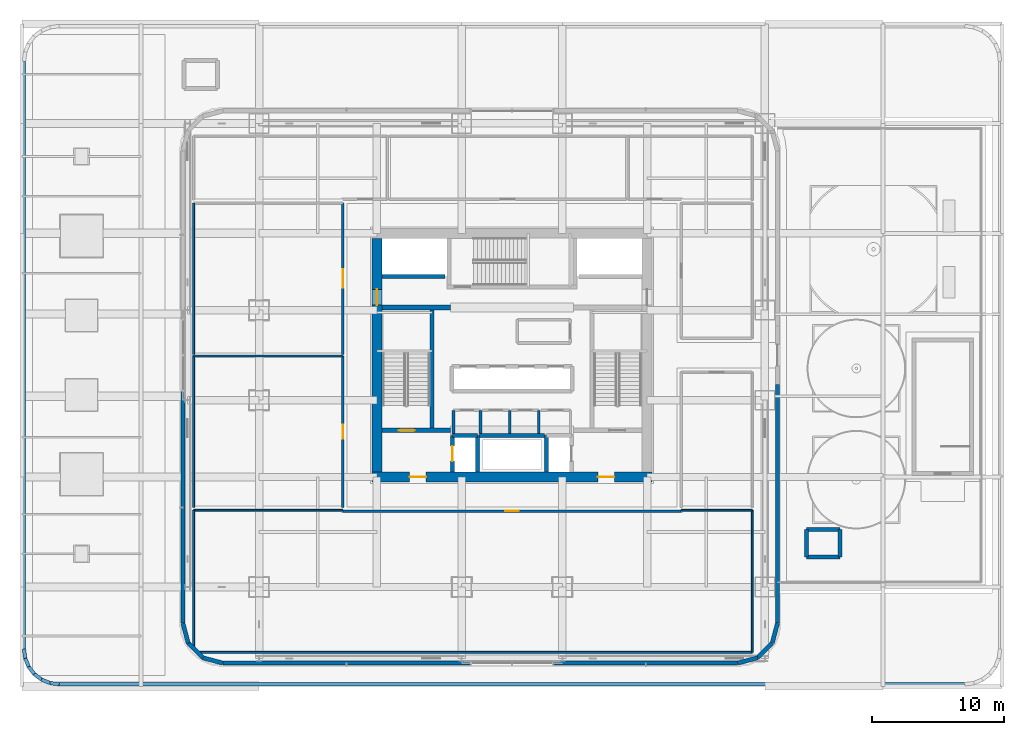
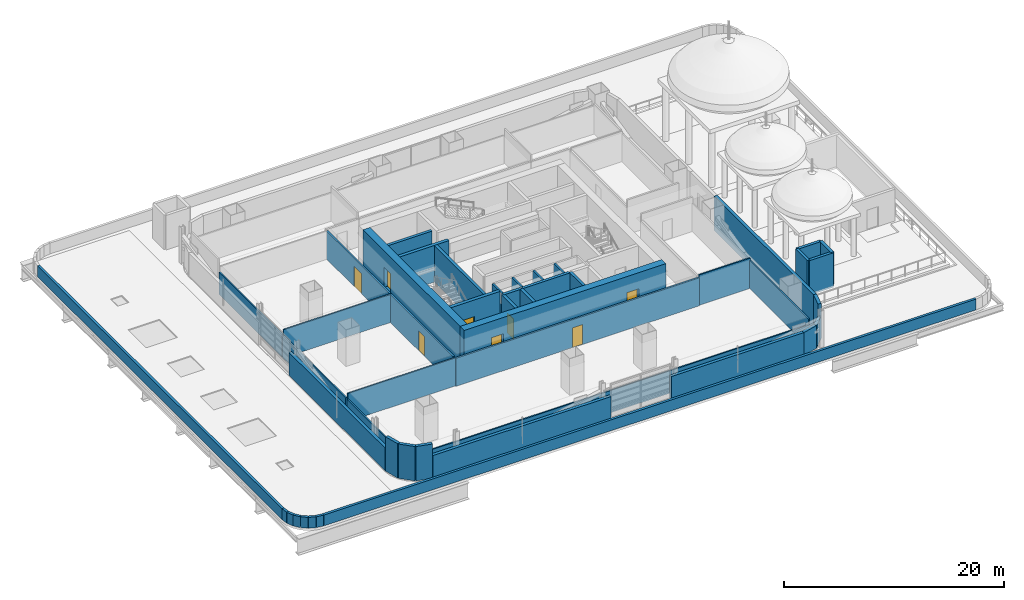
# One storey, part 14 of 30: 48 walls, 8 doors, 8 openings.
"""IFC4 building model written with IfcOpenShell, lengths in metres."""

from ifc_helpers import new_model, si_unit, direction, frame, frame_2d, origin, place, context, subcontext, project, spatial, rectangle, extrude, material, layer, layer_set, type_object, element, fill, save


model = new_model("IFC4")

# Units and contexts
model_context = context("Model", 3, precision=1e-05, world=origin(), true_north=direction((0.0, 1.0)))
body_context = subcontext(model_context, "Body", "Model", "MODEL_VIEW")
ifc_project = project(units=[si_unit("LENGTHUNIT", "METRE"), si_unit("AREAUNIT", "SQUARE_METRE"), si_unit("VOLUMEUNIT", "CUBIC_METRE"), si_unit("PLANEANGLEUNIT", "RADIAN"), si_unit("MASSUNIT", "GRAM", prefix="KILO")], contexts=[model_context])

# Site, building, storey
site_placement = place(None, origin())
site = spatial("IfcSite", under=ifc_project, at=site_placement, CompositionType="ELEMENT")
building_placement = place(site_placement, origin())
building = spatial("IfcBuilding", under=site, at=building_placement, Name="Punatoya Terracotta Tower", CompositionType="ELEMENT")
storey_placement = place(building_placement, frame((0.0, 0.0, 28.199951171875)))
storey = spatial("IfcBuildingStorey", under=building, at=storey_placement, Name="L05", CompositionType="ELEMENT", Elevation=28.199951171875)

# Wall, openings, doors
ifc_material_1 = material(Name="Concrete C60/75", Category="concrete")
ifc_layer_1 = layer(ifc_material_1, 0.75)
ifc_layer_set_1 = layer_set([ifc_layer_1], Name="Concrete C60/75")
wall_type_1 = type_object("IfcWallType", Name="WL-COR-750", PredefinedType="SHEAR", material=ifc_layer_set_1)
wall_1_placement = place(storey_placement, frame((10.574951171875, -9.199951171875, 0.0), z_axis=(0.0, 0.0, 1.0), x_axis=(-1.0, 0.0, 0.0)))
wall_1 = element("IfcWall", 1, at=wall_1_placement, inside=storey, type_object=wall_type_1, Name="L05 Core Shear Wall S", PredefinedType="SHEAR", context=body_context, shape_type="SweptSolid", body=[
    extrude(rectangle(XDim=21.14990234375, YDim=0.75, at=frame_2d((10.574951171875, 0.0))), origin(), (0.0, 0.0, 1.0), 4.050048828125),
])
opening_1_placement = place(wall_1_placement, frame((2.85009765625, 0.0, 0.0)))
opening_1 = element("IfcOpeningElement", 2, at=opening_1_placement, cuts=wall_1, Name="Opening FD-L1", PredefinedType="OPENING", context=body_context, shape_type="SweptSolid", body=[
    extrude(rectangle(XDim=1.25, YDim=2.25, at=frame_2d((0.625, 1.125))), frame((0.0, 0.385009765625, 0.0), z_axis=(0.0, -1.0, 0.0), x_axis=(1.0, 0.0, 0.0)), (0.0, 0.0, 1.0), 0.77001953125),
])
opening_2_placement = place(wall_1_placement, frame((17.050048828125, 0.0, 0.0)))
opening_2 = element("IfcOpeningElement", 3, at=opening_2_placement, cuts=wall_1, Name="Opening FD-L1", PredefinedType="OPENING", context=body_context, shape_type="SweptSolid", body=[
    extrude(rectangle(XDim=1.25, YDim=2.25, at=frame_2d((0.625, 1.125))), frame((0.0, 0.385009765625, 0.0), z_axis=(0.0, -1.0, 0.0), x_axis=(1.0, 0.0, 0.0)), (0.0, 0.0, 1.0), 0.77001953125),
])
ifc_material_2 = material(Name="Galvanised Steel Smokeproof Fire Door", Category="steel")
door_type_1 = type_object("IfcDoorType", Name="DR-FFL-1250", OperationType="NOTDEFINED", PredefinedType="DOOR", material=ifc_material_2)
door_1_placement = place(opening_1_placement, origin())
door_1 = element("IfcDoor", 4, at=door_1_placement, inside=storey, type_object=door_type_1, Name="L05 East Firefighting Lobby Corridor Fire Door", OperationType="SINGLE_SWING_LEFT", OverallHeight=2.25, OverallWidth=1.25, PredefinedType="DOOR", context=body_context, shape_type="SweptSolid", body=[
    extrude(rectangle(XDim=1.25, YDim=2.25, at=frame_2d((0.625, 1.125))), frame((0.0, 0.02490234375, 0.0), z_axis=(0.0, -1.0, 0.0), x_axis=(1.0, 0.0, 0.0)), (0.0, 0.0, 1.0), 0.050048828125),
])
fill(opening_1, door_1)
door_2_placement = place(opening_2_placement, origin())
door_2 = element("IfcDoor", 5, at=door_2_placement, inside=storey, type_object=door_type_1, Name="L05 West Firefighting Lobby Corridor Fire Door", OperationType="SINGLE_SWING_RIGHT", OverallHeight=2.25, OverallWidth=1.25, PredefinedType="DOOR", context=body_context, shape_type="SweptSolid", body=[
    extrude(rectangle(XDim=1.25, YDim=2.25, at=frame_2d((0.625, 1.125))), frame((0.0, 0.02490234375, 0.0), z_axis=(0.0, -1.0, 0.0), x_axis=(1.0, 0.0, 0.0)), (0.0, 0.0, 1.0), 0.050048828125),
])
fill(opening_2, door_2)

# Wall, opening, door
wall_2_placement = place(storey_placement, frame((-10.199951171875, -8.824951171875, 0.0), z_axis=(0.0, 0.0, 1.0), x_axis=(0.0, 1.0, 0.0)))
wall_2 = element("IfcWall", 6, at=wall_2_placement, inside=storey, type_object=wall_type_1, Name="L05 Core Shear Wall W", PredefinedType="SHEAR", context=body_context, shape_type="SweptSolid", body=[
    extrude(rectangle(XDim=17.64990234375, YDim=0.75, at=frame_2d((8.824951171875, 0.0))), origin(), (0.0, 0.0, 1.0), 4.050048828125),
])
opening_3_placement = place(wall_2_placement, frame((12.614990234375, 0.0, 0.0)))
opening_3 = element("IfcOpeningElement", 7, at=opening_3_placement, cuts=wall_2, Name="Opening SD-01", PredefinedType="OPENING", context=body_context, shape_type="SweptSolid", body=[
    extrude(rectangle(XDim=1.179931640625, YDim=2.199951171875, at=frame_2d((0.58984375, 1.10009765625))), frame((0.0, 0.385009765625, 0.0), z_axis=(0.0, -1.0, 0.0), x_axis=(1.0, 0.0, 0.0)), (0.0, 0.0, 1.0), 0.77001953125),
])
ifc_material_3 = material(Name="Galvanised Steel Pressurized Stair Fire Door", Category="steel")
door_type_2 = type_object("IfcDoorType", Name="DR-STR-1180", OperationType="NOTDEFINED", PredefinedType="DOOR", material=ifc_material_3)
door_3_placement = place(opening_3_placement, origin())
door_3 = element("IfcDoor", 8, at=door_3_placement, inside=storey, type_object=door_type_2, Name="L05 Central Lift Lobby West Fire Door", OperationType="SINGLE_SWING_LEFT", OverallHeight=2.199951171875, OverallWidth=1.179931640625, PredefinedType="DOOR", context=body_context, shape_type="SweptSolid", body=[
    extrude(rectangle(XDim=1.179931640625, YDim=2.199951171875, at=frame_2d((0.58984375, 1.10009765625))), frame((0.0, 0.02490234375, 0.0), z_axis=(0.0, -1.0, 0.0), x_axis=(1.0, 0.0, 0.0)), (0.0, 0.0, 1.0), 0.050048828125),
])
fill(opening_3, door_3)

ifc_material_4 = material(Name="Gypsum Fireboard + Steel Stud", Category="steel")
ifc_layer_2 = layer(ifc_material_4, 0.179931640625)
ifc_layer_set_2 = layer_set([ifc_layer_2], Name="Gypsum Fireboard + Steel Stud")
wall_type_2 = type_object("IfcWallType", Name="WL-CORR-180", PredefinedType="PARTITIONING", material=ifc_layer_set_2)
wall_3_placement = place(storey_placement, frame((-12.77001953125, -11.77001953125, 0.0), z_axis=(0.0, 0.0, 1.0), x_axis=(1.0, 0.0, 0.0)))
wall_3 = element("IfcWall", 9, at=wall_3_placement, inside=storey, type_object=wall_type_2, Name="L05 Open Workplace Studio Partition 14", PredefinedType="PARTITIONING", context=body_context, shape_type="SweptSolid", body=[
    extrude(rectangle(XDim=25.5400390625, YDim=0.179931640625, at=frame_2d((12.77001953125, 0.0))), origin(), (0.0, 0.0, 1.0), 3.10400390625),
])
opening_4_placement = place(wall_3_placement, frame((12.2451171875, 0.0, 0.0)))
opening_4 = element("IfcOpeningElement", 10, at=opening_4_placement, cuts=wall_3, Name="Opening OD-01", PredefinedType="OPENING", context=body_context, shape_type="SweptSolid", body=[
    extrude(rectangle(XDim=1.050048828125, YDim=2.199951171875, at=frame_2d((0.52490234375, 1.10009765625))), frame((0.0, 0.099853515625, 0.0), z_axis=(0.0, -1.0, 0.0), x_axis=(1.0, 0.0, 0.0)), (0.0, 0.0, 1.0), 0.199951171875),
])
ifc_material_5 = material(Name="Bengal Teak Solid-Core Leaf")
door_type_3 = type_object("IfcDoorType", Name="DR-OFF-1050", OperationType="NOTDEFINED", PredefinedType="DOOR", material=ifc_material_5)
door_4_placement = place(opening_4_placement, origin())
door_4 = element("IfcDoor", 11, at=door_4_placement, inside=storey, type_object=door_type_3, Name="L05 Open Workplace Studio Door", OperationType="SINGLE_SWING_RIGHT", OverallHeight=2.199951171875, OverallWidth=1.050048828125, PredefinedType="DOOR", context=body_context, shape_type="SweptSolid", body=[
    extrude(rectangle(XDim=1.050048828125, YDim=2.199951171875, at=frame_2d((0.52490234375, 1.10009765625))), frame((0.0, 0.02490234375, 0.0), z_axis=(0.0, -1.0, 0.0), x_axis=(1.0, 0.0, 0.0)), (0.0, 0.0, 1.0), 0.050048828125),
])
fill(opening_4, door_4)

wall_4_placement = place(storey_placement, frame((-12.77001953125, -0.06005859375, 0.0), z_axis=(0.0, 0.0, 1.0), x_axis=(0.0, -1.0, 0.0)))
wall_4 = element("IfcWall", 12, at=wall_4_placement, inside=storey, type_object=wall_type_2, Name="L05 Open-Plan Project Design Office Partition 24", PredefinedType="PARTITIONING", context=body_context, shape_type="SweptSolid", body=[
    extrude(rectangle(XDim=11.429931640625, YDim=0.179931640625, at=frame_2d((5.71484375, 0.0))), origin(), (0.0, 0.0, 1.0), 3.10400390625),
])
opening_5_placement = place(wall_4_placement, frame((5.18994140625, 0.0, 0.0)))
opening_5 = element("IfcOpeningElement", 13, at=opening_5_placement, cuts=wall_4, Name="Opening OD-01", PredefinedType="OPENING", context=body_context, shape_type="SweptSolid", body=[
    extrude(rectangle(XDim=1.050048828125, YDim=2.199951171875, at=frame_2d((0.52490234375, 1.10009765625))), frame((0.0, 0.099853515625, 0.0), z_axis=(0.0, -1.0, 0.0), x_axis=(1.0, 0.0, 0.0)), (0.0, 0.0, 1.0), 0.199951171875),
])
door_5_placement = place(opening_5_placement, origin())
door_5 = element("IfcDoor", 14, at=door_5_placement, inside=storey, type_object=door_type_3, Name="L05 Open-Plan Project Design Office Door", OperationType="SINGLE_SWING_RIGHT", OverallHeight=2.199951171875, OverallWidth=1.050048828125, PredefinedType="DOOR", context=body_context, shape_type="SweptSolid", body=[
    extrude(rectangle(XDim=1.050048828125, YDim=2.199951171875, at=frame_2d((0.52490234375, 1.10009765625))), frame((0.0, 0.02490234375, 0.0), z_axis=(0.0, -1.0, 0.0), x_axis=(1.0, 0.0, 0.0)), (0.0, 0.0, 1.0), 0.050048828125),
])
fill(opening_5, door_5)

wall_5_placement = place(storey_placement, frame((-12.77001953125, 11.489990234375, 0.0), z_axis=(0.0, 0.0, 1.0), x_axis=(0.0, -1.0, 0.0)))
wall_5 = element("IfcWall", 15, at=wall_5_placement, inside=storey, type_object=wall_type_2, Name="L05 Open-Plan Client Strategy Boardroom Partition 27", PredefinedType="PARTITIONING", context=body_context, shape_type="SweptSolid", body=[
    extrude(rectangle(XDim=11.429931640625, YDim=0.179931640625, at=frame_2d((5.71484375, 0.0))), origin(), (0.0, 0.0, 1.0), 3.10400390625),
])
opening_6_placement = place(wall_5_placement, frame((5.014892578125, 0.0, 0.0)))
opening_6 = element("IfcOpeningElement", 16, at=opening_6_placement, cuts=wall_5, Name="Opening BD-01", PredefinedType="OPENING", context=body_context, shape_type="SweptSolid", body=[
    extrude(rectangle(XDim=1.39990234375, YDim=2.25, at=frame_2d((0.699951171875, 1.125))), frame((0.0, 0.099853515625, 0.0), z_axis=(0.0, -1.0, 0.0), x_axis=(1.0, 0.0, 0.0)), (0.0, 0.0, 1.0), 0.199951171875),
])
ifc_material_6 = material(Name="Bengal Teak Acoustic Leaf")
door_type_4 = type_object("IfcDoorType", Name="DR-BRD-1400", OperationType="NOTDEFINED", PredefinedType="DOOR", material=ifc_material_6)
door_6_placement = place(opening_6_placement, origin())
door_6 = element("IfcDoor", 17, at=door_6_placement, inside=storey, type_object=door_type_4, Name="L05 Open-Plan Client Strategy Boardroom Door", OperationType="SINGLE_SWING_LEFT", OverallHeight=2.25, OverallWidth=1.39990234375, PredefinedType="DOOR", context=body_context, shape_type="SweptSolid", body=[
    extrude(rectangle(XDim=1.39990234375, YDim=2.25, at=frame_2d((0.699951171875, 1.125))), frame((0.0, 0.02490234375, 0.0), z_axis=(0.0, -1.0, 0.0), x_axis=(1.0, 0.0, 0.0)), (0.0, 0.0, 1.0), 0.050048828125),
])
fill(opening_6, door_6)

# Walls
ifc_material_7 = material(Name="Precast concrete C40/50", Category="concrete")
ifc_layer_3 = layer(ifc_material_7, 0.320068359375)
ifc_layer_set_3 = layer_set([ifc_layer_3], Name="Precast concrete C40/50")
wall_type_3 = type_object("IfcWallType", Name="WL-EXT-320", PredefinedType="SOLIDWALL", material=ifc_layer_set_3)
wall_6_placement = place(storey_placement, frame((-21.8369140625, -23.25, 0.0), z_axis=(0.0, 0.0, 1.0), x_axis=(1.0, 0.0, 0.0)))
element("IfcWall", 18, at=wall_6_placement, inside=storey, type_object=wall_type_3, Name="L05 Terracotta Braced Facade Wall S1", PredefinedType="SOLIDWALL", context=body_context, shape_type="SweptSolid", body=[
    extrude(rectangle(XDim=18.68701171875, YDim=0.320068359375, at=frame_2d((9.343505859375, 0.0))), origin(), (0.0, 0.0, 1.0), 2.524169921875),
])
wall_7_placement = place(storey_placement, frame((3.14990234375, -23.25, 0.0), z_axis=(0.0, 0.0, 1.0), x_axis=(1.0, 0.0, 0.0)))
element("IfcWall", 19, at=wall_7_placement, inside=storey, type_object=wall_type_3, Name="L05 Terracotta Braced Facade Wall S2", PredefinedType="SOLIDWALL", context=body_context, shape_type="SweptSolid", body=[
    extrude(rectangle(XDim=13.886962890625, YDim=0.320068359375, at=frame_2d((6.943359375, 0.0))), origin(), (0.0, 0.0, 1.0), 2.524169921875),
])
wall_8_placement = place(storey_placement, frame((17.036865234375, -23.25, 0.0), z_axis=(0.0, 0.0, 1.0), x_axis=(0.966224582397, 0.257701486942, 0.0)))
element("IfcWall", 20, at=wall_8_placement, inside=storey, type_object=wall_type_3, Name="L05 Rounded Terracotta Corner Pier 02", PredefinedType="SOLIDWALL", context=body_context, shape_type="SweptSolid", body=[
    extrude(rectangle(XDim=1.565185546875, YDim=0.320068359375, at=frame_2d((0.78271484375, 0.0))), origin(), (0.0, 0.0, 1.0), 2.524169921875),
])
wall_9_placement = place(storey_placement, frame((18.549072265625, -22.8466796875, 0.0), z_axis=(0.0, 0.0, 1.0), x_axis=(0.707028130747, 0.707185422879, 0.0)))
element("IfcWall", 21, at=wall_9_placement, inside=storey, type_object=wall_type_3, Name="L05 Rounded Terracotta Corner Pier 03", PredefinedType="SOLIDWALL", context=body_context, shape_type="SweptSolid", body=[
    extrude(rectangle(XDim=1.55224609375, YDim=0.320068359375, at=frame_2d((0.776123046875, 0.0))), origin(), (0.0, 0.0, 1.0), 2.484130859375),
])
wall_10_placement = place(storey_placement, frame((19.646484375, -21.7490234375, 0.0), z_axis=(0.0, 0.0, 1.0), x_axis=(0.257847112249, 0.966185730957, 0.0)))
element("IfcWall", 22, at=wall_10_placement, inside=storey, type_object=wall_type_3, Name="L05 Rounded Terracotta Corner Pier 04", PredefinedType="SOLIDWALL", context=body_context, shape_type="SweptSolid", body=[
    extrude(rectangle(XDim=1.565185546875, YDim=0.320068359375, at=frame_2d((0.78271484375, 0.0))), origin(), (0.0, 0.0, 1.0), 3.81005859375),
])
wall_11_placement = place(storey_placement, frame((20.050048828125, -20.23681640625, 0.0), z_axis=(0.0, 0.0, 1.0), x_axis=(0.0, 1.0, 0.0)))
element("IfcWall", 23, at=wall_11_placement, inside=storey, type_object=wall_type_3, Name="L05 Terracotta Braced Facade Wall E", PredefinedType="SOLIDWALL", context=body_context, shape_type="SweptSolid", body=[
    extrude(rectangle(XDim=18.036865234375, YDim=0.320068359375, at=frame_2d((9.0185546875, 0.0))), origin(), (0.0, 0.0, 1.0), 3.81005859375),
])
wall_12_placement = place(storey_placement, frame((-24.85009765625, -2.75, 0.0), z_axis=(0.0, 0.0, 1.0), x_axis=(0.0, -1.0, 0.0)))
element("IfcWall", 24, at=wall_12_placement, inside=storey, type_object=wall_type_3, Name="L05 Terracotta Braced Facade Wall W2", PredefinedType="SOLIDWALL", context=body_context, shape_type="SweptSolid", body=[
    extrude(rectangle(XDim=17.48681640625, YDim=0.320068359375, at=frame_2d((8.743408203125, 0.0))), origin(), (0.0, 0.0, 1.0), 2.524169921875),
])
wall_13_placement = place(storey_placement, frame((-24.85009765625, -20.23681640625, 0.0), z_axis=(0.0, 0.0, 1.0), x_axis=(0.257847112249, -0.966185730957, 0.0)))
element("IfcWall", 25, at=wall_13_placement, inside=storey, type_object=wall_type_3, Name="L05 Rounded Terracotta Corner Pier 14", PredefinedType="SOLIDWALL", context=body_context, shape_type="SweptSolid", body=[
    extrude(rectangle(XDim=1.565185546875, YDim=0.320068359375, at=frame_2d((0.78271484375, 0.0))), origin(), (0.0, 0.0, 1.0), 3.81005859375),
])
wall_14_placement = place(storey_placement, frame((-24.446533203125, -21.7490234375, 0.0), z_axis=(0.0, 0.0, 1.0), x_axis=(0.707028130747, -0.707185422879, 0.0)))
element("IfcWall", 26, at=wall_14_placement, inside=storey, type_object=wall_type_3, Name="L05 Rounded Terracotta Corner Pier 15", PredefinedType="SOLIDWALL", context=body_context, shape_type="SweptSolid", body=[
    extrude(rectangle(XDim=1.55224609375, YDim=0.320068359375, at=frame_2d((0.776123046875, 0.0))), origin(), (0.0, 0.0, 1.0), 3.81005859375),
])
wall_15_placement = place(storey_placement, frame((-23.34912109375, -22.8466796875, 0.0), z_axis=(0.0, 0.0, 1.0), x_axis=(0.966224582397, -0.257701486942, 0.0)))
element("IfcWall", 27, at=wall_15_placement, inside=storey, type_object=wall_type_3, Name="L05 Rounded Terracotta Corner Pier 16", PredefinedType="SOLIDWALL", context=body_context, shape_type="SweptSolid", body=[
    extrude(rectangle(XDim=1.565185546875, YDim=0.320068359375, at=frame_2d((0.78271484375, 0.0))), origin(), (0.0, 0.0, 1.0), 3.81005859375),
])
ifc_material_8 = material(Name="Concrete C40/50", Category="concrete")
ifc_layer_4 = layer(ifc_material_8, 0.199951171875)
ifc_layer_set_4 = layer_set([ifc_layer_4], Name="Concrete C40/50")
wall_type_4 = type_object("IfcWallType", Name="WL-INT-200", PredefinedType="SOLIDWALL", material=ifc_layer_set_4)
for number, where, z_axis, x_axis, name in (
    (28, (-2.3798828125, -5.89990234375, 0.0), (0.0, 0.0, 1.0), (0.0, 1.0, 0.0), "L05 Male Washroom Partition 01"),
    (29, (-4.419921875, -4.159912109375, 0.0), (0.0, 0.0, 1.0), (0.0, -1.0, 0.0), "L05 Male Washroom Partition 03"),
    (30, (-0.179931640625, -5.89990234375, 0.0), (0.0, 0.0, 1.0), (0.0, 1.0, 0.0), "L05 Female Washroom Partition 04"),
    (31, (2.02001953125, -5.89990234375, 0.0), (0.0, 0.0, 1.0), (0.0, 1.0, 0.0), "L05 Accessible Universal Washroom Partition 06"),
):
    element("IfcWall", number, at=place(storey_placement, frame(where, z_axis=z_axis, x_axis=x_axis)), inside=storey, type_object=wall_type_4, Name=name, PredefinedType="SOLIDWALL", context=body_context, shape_type="SweptSolid", body=[
        extrude(rectangle(XDim=1.739990234375, YDim=0.199951171875, at=frame_2d((0.8701171875, 0.0))), origin(), (0.0, 0.0, 1.0), 3.81005859375),
    ])
ifc_material_9 = material(Name="Acoustic Gypsum + Steel Stud", Category="steel")
ifc_layer_5 = layer(ifc_material_9, 0.139892578125)
ifc_layer_set_5 = layer_set([ifc_layer_5], Name="Acoustic Gypsum + Steel Stud")
wall_type_5 = type_object("IfcWallType", Name="WL-OFF-140", PredefinedType="PARTITIONING", material=ifc_layer_set_5)
wall_16_placement = place(storey_placement, frame((12.77001953125, -11.7099609375, 0.0), z_axis=(0.0, 0.0, 1.0), x_axis=(1.0, 0.0, 0.0)))
element("IfcWall", 32, at=wall_16_placement, inside=storey, type_object=wall_type_5, Name="L05 Open Workplace Studio Partition 15", PredefinedType="PARTITIONING", context=body_context, shape_type="SweptSolid", body=[
    extrude(rectangle(XDim=5.369873046875, YDim=0.139892578125, at=frame_2d((2.68505859375, 0.0))), origin(), (0.0, 0.0, 1.0), 3.35400390625),
])
wall_17_placement = place(storey_placement, frame((18.139892578125, -11.7099609375, 0.0), z_axis=(0.0, 0.0, 1.0), x_axis=(0.0, -1.0, 0.0)))
element("IfcWall", 33, at=wall_17_placement, inside=storey, type_object=wall_type_5, Name="L05 Open Workplace Studio Partition 16", PredefinedType="PARTITIONING", context=body_context, shape_type="SweptSolid", body=[
    extrude(rectangle(XDim=10.72998046875, YDim=0.139892578125, at=frame_2d((5.364990234375, 0.0))), origin(), (0.0, 0.0, 1.0), 3.10400390625),
])
wall_18_placement = place(storey_placement, frame((18.139892578125, -22.43994140625, 0.0), z_axis=(0.0, 0.0, 1.0), x_axis=(-1.0, 0.0, 0.0)))
element("IfcWall", 34, at=wall_18_placement, inside=storey, type_object=wall_type_5, Name="L05 Open Workplace Studio Partition 17", PredefinedType="PARTITIONING", context=body_context, shape_type="SweptSolid", body=[
    extrude(rectangle(XDim=41.887451171875, YDim=0.139892578125, at=frame_2d((20.94384765625, 0.0))), origin(), (0.0, 0.0, 1.0), 2.484130859375),
])
wall_19_placement = place(storey_placement, frame((-24.0400390625, -22.1474609375, 0.0), z_axis=(0.0, 0.0, 1.0), x_axis=(0.0, 1.0, 0.0)))
element("IfcWall", 35, at=wall_19_placement, inside=storey, type_object=wall_type_5, Name="L05 Open Workplace Studio Partition 18", PredefinedType="PARTITIONING", context=body_context, shape_type="SweptSolid", body=[
    extrude(rectangle(XDim=10.4375, YDim=0.139892578125, at=frame_2d((5.21875, 0.0))), origin(), (0.0, 0.0, 1.0), 2.484130859375),
])
for number, where, z_axis, x_axis, name in (
    (36, (-24.0400390625, -11.7099609375, 0.0), (0.0, 0.0, 1.0), (1.0, 0.0, 0.0), "L05 Open Workplace Studio Partition 19"),
    (37, (-24.0400390625, -0.06005859375, 0.0), (0.0, 0.0, 1.0), (1.0, 0.0, 0.0), "L05 Open-Plan Project Design Office Partition 23"),
):
    element("IfcWall", number, at=place(storey_placement, frame(where, z_axis=z_axis, x_axis=x_axis)), inside=storey, type_object=wall_type_5, Name=name, PredefinedType="PARTITIONING", context=body_context, shape_type="SweptSolid", body=[
        extrude(rectangle(XDim=11.27001953125, YDim=0.139892578125, at=frame_2d((5.635009765625, 0.0))), origin(), (0.0, 0.0, 1.0), 3.10400390625),
    ])
for number, where, z_axis, x_axis, name in (
    (38, (-24.0400390625, -11.489990234375, 0.0), (0.0, 0.0, 1.0), (0.0, 1.0, 0.0), "L05 Open-Plan Project Design Office Partition 25"),
    (39, (-24.0400390625, 0.06005859375, 0.0), (0.0, 0.0, 1.0), (0.0, 1.0, 0.0), "L05 Open-Plan Client Strategy Boardroom Partition 28"),
):
    element("IfcWall", number, at=place(storey_placement, frame(where, z_axis=z_axis, x_axis=x_axis)), inside=storey, type_object=wall_type_5, Name=name, PredefinedType="PARTITIONING", context=body_context, shape_type="SweptSolid", body=[
        extrude(rectangle(XDim=11.429931640625, YDim=0.139892578125, at=frame_2d((5.71484375, 0.0))), origin(), (0.0, 0.0, 1.0), 2.484130859375),
    ])
ifc_layer_6 = layer(ifc_material_7, 0.260009765625)
ifc_layer_set_6 = layer_set([ifc_layer_6], Name="Precast concrete C40/50")
wall_type_6 = type_object("IfcWallType", Name="WL-PAR-260", PredefinedType="PARAPET", material=ifc_layer_set_6)
wall_20_placement = place(storey_placement, frame((-34.885498046875, -24.758544921875, 0.0), z_axis=(0.0, 0.0, 1.0), x_axis=(0.991442442616, -0.130544563196, 0.0)))
element("IfcWall", 40, at=wall_20_placement, inside=storey, type_object=wall_type_6, Name="L05 Podium Maintenance Roof Parapet 01", PredefinedType="PARAPET", context=body_context, shape_type="SweptSolid", body=[
    extrude(rectangle(XDim=0.701416015625, YDim=0.260009765625, at=frame_2d((0.3505859375, 0.0))), origin(), (0.0, 0.0, 1.0), 1.199951171875),
])
wall_21_placement = place(storey_placement, frame((-34.190185546875, -24.85009765625, 0.0), z_axis=(0.0, 0.0, 1.0), x_axis=(1.0, 0.0, 0.0)))
element("IfcWall", 41, at=wall_21_placement, inside=storey, type_object=wall_type_6, Name="L05 Podium Maintenance Roof Parapet 02", PredefinedType="PARAPET", context=body_context, shape_type="SweptSolid", body=[
    extrude(rectangle(XDim=68.38037109375, YDim=0.260009765625, at=frame_2d((34.190185546875, 0.0))), origin(), (0.0, 0.0, 1.0), 1.199951171875),
])
wall_22_placement = place(storey_placement, frame((-36.85009765625, 22.190185546875, 0.0), z_axis=(0.0, 0.0, 1.0), x_axis=(0.0, -1.0, 0.0)))
element("IfcWall", 42, at=wall_22_placement, inside=storey, type_object=wall_type_6, Name="L05 Podium Maintenance Roof Parapet 23", PredefinedType="PARAPET", context=body_context, shape_type="SweptSolid", body=[
    extrude(rectangle(XDim=44.38037109375, YDim=0.260009765625, at=frame_2d((22.190185546875, 0.0))), origin(), (0.0, 0.0, 1.0), 1.199951171875),
])
wall_23_placement = place(storey_placement, frame((-36.85009765625, -22.190185546875, 0.0), z_axis=(0.0, 0.0, 1.0), x_axis=(0.130544563196, -0.991442442616, 0.0)))
element("IfcWall", 43, at=wall_23_placement, inside=storey, type_object=wall_type_6, Name="L05 Podium Maintenance Roof Parapet 24", PredefinedType="PARAPET", context=body_context, shape_type="SweptSolid", body=[
    extrude(rectangle(XDim=0.701416015625, YDim=0.260009765625, at=frame_2d((0.3505859375, 0.0))), origin(), (0.0, 0.0, 1.0), 1.199951171875),
])
wall_24_placement = place(storey_placement, frame((-36.758544921875, -22.885498046875, 0.0), z_axis=(0.0, 0.0, 1.0), x_axis=(0.382684368678, -0.923879144677, 0.0)))
element("IfcWall", 44, at=wall_24_placement, inside=storey, type_object=wall_type_6, Name="L05 Podium Maintenance Roof Parapet 25", PredefinedType="PARAPET", context=body_context, shape_type="SweptSolid", body=[
    extrude(rectangle(XDim=0.691650390625, YDim=0.260009765625, at=frame_2d((0.345703125, 0.0))), origin(), (0.0, 0.0, 1.0), 1.199951171875),
])
for number, where, z_axis, x_axis, name in (
    (45, (-36.493896484375, -23.5244140625, 0.0), (0.0, 0.0, 1.0), (0.608720594152, -0.793384672309, 0.0), "L05 Podium Maintenance Roof Parapet 26"),
    (46, (-36.072998046875, -24.072998046875, 0.0), (0.0, 0.0, 1.0), (0.793384672309, -0.608720594152, 0.0), "L05 Podium Maintenance Roof Parapet 27"),
):
    element("IfcWall", number, at=place(storey_placement, frame(where, z_axis=z_axis, x_axis=x_axis)), inside=storey, type_object=wall_type_6, Name=name, PredefinedType="PARAPET", context=body_context, shape_type="SweptSolid", body=[
        extrude(rectangle(XDim=0.69140625, YDim=0.260009765625, at=frame_2d((0.345703125, 0.0))), origin(), (0.0, 0.0, 1.0), 1.199951171875),
    ])
wall_25_placement = place(storey_placement, frame((-35.5244140625, -24.493896484375, 0.0), z_axis=(0.0, 0.0, 1.0), x_axis=(0.923879144677, -0.382684368678, 0.0)))
element("IfcWall", 47, at=wall_25_placement, inside=storey, type_object=wall_type_6, Name="L05 Podium Maintenance Roof Parapet 28", PredefinedType="PARAPET", context=body_context, shape_type="SweptSolid", body=[
    extrude(rectangle(XDim=0.691650390625, YDim=0.260009765625, at=frame_2d((0.345703125, 0.0))), origin(), (0.0, 0.0, 1.0), 1.199951171875),
])
ifc_layer_7 = layer(ifc_material_8, 0.300048828125)
ifc_layer_set_7 = layer_set([ifc_layer_7], Name="Concrete C40/50")
wall_type_7 = type_object("IfcWallType", Name="WL-SHF-300", PredefinedType="SOLIDWALL", material=ifc_layer_set_7)
wall_26_placement = place(storey_placement, frame((-6.050048828125, -5.5, 0.0), z_axis=(0.0, 0.0, 1.0), x_axis=(0.0, 1.0, 0.0)))
element("IfcWall", 48, at=wall_26_placement, inside=storey, type_object=wall_type_7, Name="L05 Structural Stair Shaft Wall SW-ST1-E", PredefinedType="SOLIDWALL", context=body_context, shape_type="SweptSolid", body=[
    extrude(rectangle(XDim=8.949951171875, YDim=0.300048828125, at=frame_2d((4.47509765625, 0.0))), origin(), (0.0, 0.0, 1.0), 4.050048828125),
])

# Wall, opening, door
wall_27_placement = place(storey_placement, frame((-4.489990234375, -8.820068359375, 0.0), z_axis=(0.0, 0.0, 1.0), x_axis=(0.0, 1.0, 0.0)))
wall_27 = element("IfcWall", 49, at=wall_27_placement, inside=storey, type_object=wall_type_7, Name="L05 FFL-1 Front Hoistway Wall", PredefinedType="SOLIDWALL", context=body_context, shape_type="SweptSolid", body=[
    extrude(rectangle(XDim=2.77001953125, YDim=0.300048828125, at=frame_2d((1.385009765625, 0.0))), origin(), (0.0, 0.0, 1.0), 3.81005859375),
])
opening_7_placement = place(wall_27_placement, frame((0.824951171875, 0.0, 0.0)))
opening_7 = element("IfcOpeningElement", 50, at=opening_7_placement, cuts=wall_27, Name="Opening LD-02", PredefinedType="OPENING", context=body_context, shape_type="SweptSolid", body=[
    extrude(rectangle(XDim=1.1201171875, YDim=2.25, at=frame_2d((0.56005859375, 1.125))), frame((0.0, 0.159912109375, 0.0), z_axis=(0.0, -1.0, 0.0), x_axis=(1.0, 0.0, 0.0)), (0.0, 0.0, 1.0), 0.320068359375),
])
ifc_material_10 = material(Name="Stainless Steel Lift Landing Door", Category="steel")
door_type_5 = type_object("IfcDoorType", Name="DR-LND-1120", OperationType="NOTDEFINED", PredefinedType="DOOR", material=ifc_material_10)
door_7_placement = place(opening_7_placement, origin())
door_7 = element("IfcDoor", 51, at=door_7_placement, inside=storey, type_object=door_type_5, Name="L05 Firefighting Lift FFL-1 Sliding Landing Door", OperationType="SLIDING_TO_LEFT", OverallHeight=2.25, OverallWidth=1.1201171875, PredefinedType="DOOR", context=body_context, shape_type="SweptSolid", body=[
    extrude(rectangle(XDim=1.1201171875, YDim=2.25, at=frame_2d((0.56005859375, 1.125))), frame((0.0, 0.02490234375, 0.0), z_axis=(0.0, -1.0, 0.0), x_axis=(1.0, 0.0, 0.0)), (0.0, 0.0, 1.0), 0.050048828125),
])
fill(opening_7, door_7)

# Walls
wall_28_placement = place(storey_placement, frame((-2.610107421875, -8.820068359375, 0.0), z_axis=(0.0, 0.0, 1.0), x_axis=(0.0, 1.0, 0.0)))
element("IfcWall", 52, at=wall_28_placement, inside=storey, type_object=wall_type_7, Name="L05 FFL-1 Rear Hoistway Wall", PredefinedType="SOLIDWALL", context=body_context, shape_type="SweptSolid", body=[
    extrude(rectangle(XDim=2.77001953125, YDim=0.300048828125, at=frame_2d((1.385009765625, 0.0))), origin(), (0.0, 0.0, 1.0), 3.81005859375),
])
wall_29_placement = place(storey_placement, frame((-4.489990234375, -6.050048828125, 0.0), z_axis=(0.0, 0.0, 1.0), x_axis=(1.0, 0.0, 0.0)))
element("IfcWall", 53, at=wall_29_placement, inside=storey, type_object=wall_type_7, Name="L05 FFL-1 North Hoistway Wall", PredefinedType="SOLIDWALL", context=body_context, shape_type="SweptSolid", body=[
    extrude(rectangle(XDim=1.8798828125, YDim=0.300048828125, at=frame_2d((0.93994140625, 0.0))), origin(), (0.0, 0.0, 1.0), 3.81005859375),
])
wall_30_placement = place(storey_placement, frame((2.610107421875, -8.820068359375, 0.0), z_axis=(0.0, 0.0, 1.0), x_axis=(0.0, 1.0, 0.0)))
element("IfcWall", 54, at=wall_30_placement, inside=storey, type_object=wall_type_7, Name="L05 FFL-2 Rear Hoistway Wall", PredefinedType="SOLIDWALL", context=body_context, shape_type="SweptSolid", body=[
    extrude(rectangle(XDim=2.77001953125, YDim=0.300048828125, at=frame_2d((1.385009765625, 0.0))), origin(), (0.0, 0.0, 1.0), 3.81005859375),
])
wall_31_placement = place(storey_placement, frame((-9.820068359375, 5.949951171875, 0.0), z_axis=(0.0, 0.0, 1.0), x_axis=(1.0, 0.0, 0.0)))
element("IfcWall", 55, at=wall_31_placement, inside=storey, type_object=wall_type_7, Name="L05 Shuttle SL-1 South Hoistway Wall", PredefinedType="SOLIDWALL", context=body_context, shape_type="SweptSolid", body=[
    extrude(rectangle(XDim=4.760009765625, YDim=0.300048828125, at=frame_2d((2.3798828125, 0.0))), origin(), (0.0, 0.0, 1.0), 3.81005859375),
])
wall_32_placement = place(storey_placement, frame((-2.449951171875, -6.050048828125, 0.0), z_axis=(0.0, 0.0, 1.0), x_axis=(1.0, 0.0, 0.0)))
element("IfcWall", 56, at=wall_32_placement, inside=storey, type_object=wall_type_7, Name="L05 Observation Shuttle Rear Hoistway Wall", PredefinedType="SOLIDWALL", context=body_context, shape_type="SweptSolid", body=[
    extrude(rectangle(XDim=4.89990234375, YDim=0.300048828125, at=frame_2d((2.449951171875, 0.0))), origin(), (0.0, 0.0, 1.0), 3.81005859375),
])
for number, where, z_axis, x_axis, name in (
    (57, (22.25, -13.14990234375, 0.0), (0.0, 0.0, 1.0), (1.0, 0.0, 0.0), "L05 Podium Lift PL-P2 Front Wall"),
    (58, (22.25, -15.25, 0.0), (0.0, 0.0, 1.0), (1.0, 0.0, 0.0), "L05 Podium Lift PL-P2 Rear Wall"),
):
    element("IfcWall", number, at=place(storey_placement, frame(where, z_axis=z_axis, x_axis=x_axis)), inside=storey, type_object=wall_type_7, Name=name, PredefinedType="SOLIDWALL", context=body_context, shape_type="SweptSolid", body=[
        extrude(rectangle(XDim=2.5, YDim=0.300048828125, at=frame_2d((1.25, 0.0))), origin(), (0.0, 0.0, 1.0), 3.81005859375),
    ])
for number, where, z_axis, x_axis, name in (
    (59, (22.25, -15.25, 0.0), (0.0, 0.0, 1.0), (0.0, 1.0, 0.0), "L05 Podium Lift PL-P2 West Wall"),
    (60, (24.75, -15.25, 0.0), (0.0, 0.0, 1.0), (0.0, 1.0, 0.0), "L05 Podium Lift PL-P2 East Wall"),
):
    element("IfcWall", number, at=place(storey_placement, frame(where, z_axis=z_axis, x_axis=x_axis)), inside=storey, type_object=wall_type_7, Name=name, PredefinedType="SOLIDWALL", context=body_context, shape_type="SweptSolid", body=[
        extrude(rectangle(XDim=2.10009765625, YDim=0.300048828125, at=frame_2d((1.050048828125, 0.0))), origin(), (0.0, 0.0, 1.0), 3.81005859375),
    ])

# Wall, opening, door
ifc_material_11 = material(Name="Concrete C50/60", Category="concrete")
ifc_layer_8 = layer(ifc_material_11, 0.35009765625)
ifc_layer_set_8 = layer_set([ifc_layer_8], Name="Concrete C50/60")
wall_type_8 = type_object("IfcWallType", Name="WL-SHF-350", PredefinedType="SOLIDWALL", material=ifc_layer_set_8)
wall_33_placement = place(storey_placement, frame((-9.824951171875, -5.679931640625, 0.0), z_axis=(0.0, 0.0, 1.0), x_axis=(1.0, 0.0, 0.0)))
wall_33 = element("IfcWall", 61, at=wall_33_placement, inside=storey, type_object=wall_type_8, Name="L05 Core Web Wall CSW-L", PredefinedType="SOLIDWALL", context=body_context, shape_type="SweptSolid", body=[
    extrude(rectangle(XDim=5.175048828125, YDim=0.35009765625, at=frame_2d((2.58740234375, 0.0))), origin(), (0.0, 0.0, 1.0), 4.050048828125),
])
opening_8_placement = place(wall_33_placement, frame((1.284912109375, 0.0, 0.0)))
opening_8 = element("IfcOpeningElement", 62, at=opening_8_placement, cuts=wall_33, Name="Opening SD-01", PredefinedType="OPENING", context=body_context, shape_type="SweptSolid", body=[
    extrude(rectangle(XDim=1.179931640625, YDim=2.199951171875, at=frame_2d((0.58984375, 1.10009765625))), frame((0.0, 0.18505859375, 0.0), z_axis=(0.0, -1.0, 0.0), x_axis=(1.0, 0.0, 0.0)), (0.0, 0.0, 1.0), 0.3701171875),
])
door_8_placement = place(opening_8_placement, origin())
door_8 = element("IfcDoor", 63, at=door_8_placement, inside=storey, type_object=door_type_2, Name="L05 Stair ST-1 Smokeproof Lobby Fire Door", OperationType="SINGLE_SWING_LEFT", OverallHeight=2.199951171875, OverallWidth=1.179931640625, PredefinedType="DOOR", context=body_context, shape_type="SweptSolid", body=[
    extrude(rectangle(XDim=1.179931640625, YDim=2.199951171875, at=frame_2d((0.58984375, 1.10009765625))), frame((0.0, 0.02490234375, 0.0), z_axis=(0.0, -1.0, 0.0), x_axis=(1.0, 0.0, 0.0)), (0.0, 0.0, 1.0), 0.050048828125),
])
fill(opening_8, door_8)

# Wall
wall_34_placement = place(storey_placement, frame((-9.824951171875, 3.60009765625, 0.0), z_axis=(0.0, 0.0, 1.0), x_axis=(1.0, 0.0, 0.0)))
element("IfcWall", 64, at=wall_34_placement, inside=storey, type_object=wall_type_8, Name="L05 Core Web Wall CNW-L", PredefinedType="SOLIDWALL", context=body_context, shape_type="SweptSolid", body=[
    extrude(rectangle(XDim=5.175048828125, YDim=0.35009765625, at=frame_2d((2.58740234375, 0.0))), origin(), (0.0, 0.0, 1.0), 4.050048828125),
])

save(model, "model.ifc")
